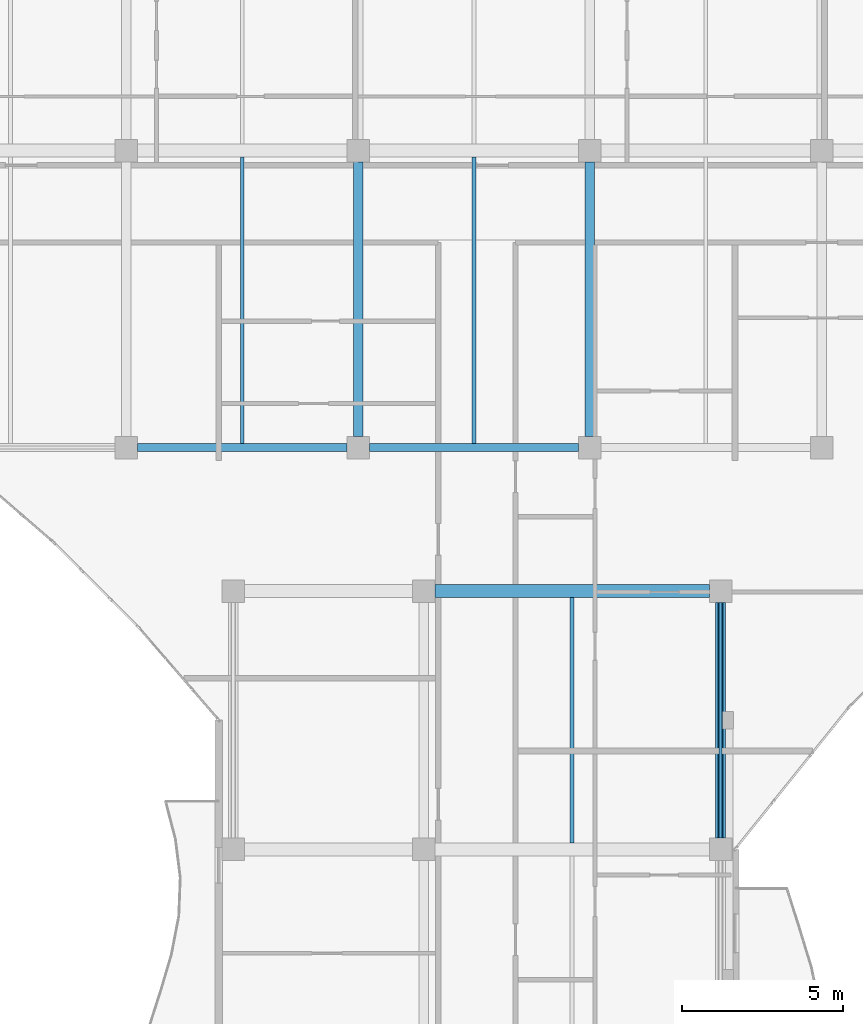
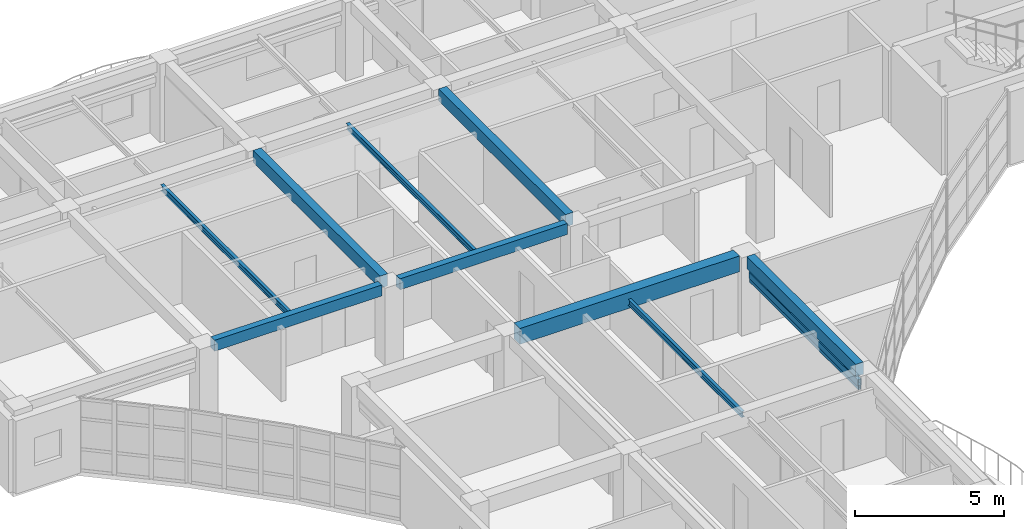
# One storey, part 55 of 128: 9 beams, 2 members.
"""IFC4 building model written with IfcOpenShell, lengths in metres."""

from ifc_helpers import new_model, si_unit, direction, frame, origin, origin_2d, place, context, subcontext, project, spatial, rectangle, hollow_rectangle, i_section, extrude, material, material_profile, profile_set, type_object, element, save


model = new_model("IFC4")

# Units and contexts
model_context = context("Model", 3, precision=1e-05, world=origin(), true_north=direction((0.0, 1.0)))
body_context = subcontext(model_context, "Body", "Model", "MODEL_VIEW")
ifc_project = project(units=[si_unit("LENGTHUNIT", "METRE"), si_unit("AREAUNIT", "SQUARE_METRE"), si_unit("VOLUMEUNIT", "CUBIC_METRE"), si_unit("PLANEANGLEUNIT", "RADIAN"), si_unit("MASSUNIT", "GRAM", prefix="KILO")], contexts=[model_context])

# Site, building, storey
site_placement = place(None, origin())
site = spatial("IfcSite", under=ifc_project, at=site_placement, CompositionType="ELEMENT")
building_placement = place(site_placement, origin())
building = spatial("IfcBuilding", under=site, at=building_placement, Name="Keldmere Railside Commons", CompositionType="ELEMENT")
storey_placement = place(building_placement, frame((0.0, 0.0, 4.159912109375)))
storey = spatial("IfcBuildingStorey", under=building, at=storey_placement, Name="L01", CompositionType="ELEMENT", Elevation=4.159912109375)

# Member
ifc_material_1 = material(Name="Steel F-36 (S355)", Category="steel")
ifc_material_profile_1 = material_profile(ifc_material_1, hollow_rectangle(XDim=0.14990234375, YDim=0.25, WallThickness=0.010009765625, at=origin_2d()), Name="RHS-250x150x10")
ifc_profile_set_1 = profile_set([ifc_material_profile_1], Name="Steel F-36 (S355)")
member_type_1 = type_object("IfcMemberType", Name="Balcony Continuous Planted Trough RHS250x150", PredefinedType="CHORD", material=ifc_profile_set_1)
member_1_placement = place(storey_placement, frame((119.550048828125, 88.35009765625, 2.4150390625), z_axis=(0.0, 1.0, 0.0), x_axis=(-1.0, 0.0, 0.0)))
element("IfcMember", 1, at=member_1_placement, inside=storey, type_object=member_type_1, Name="PLT-1 MEM-BPLT-0179", PredefinedType="CHORD", context=body_context, shape_type="SweptSolid", body=[
    extrude(hollow_rectangle(XDim=0.14990234375, YDim=0.25, WallThickness=0.010009765625, at=origin_2d()), origin(), (0.0, 0.0, 1.0), 7.2998046875),
])

# Beams
ifc_material_profile_2 = material_profile(ifc_material_1, i_section(OverallWidth=0.1201171875, OverallDepth=0.239990234375, WebThickness=0.006103515625, FlangeThickness=0.009765625, at=origin_2d()), Name="IPE-240")
ifc_profile_set_2 = profile_set([ifc_material_profile_2], Name="Steel F-36 (S355)")
beam_type_1 = type_object("IfcBeamType", Name="Nursery & Mezzanine Steel Joist IPE240", PredefinedType="JOIST", material=ifc_profile_set_2)
beam_1_placement = place(storey_placement, frame((114.949951171875, 88.199951171875, 2.81005859375), z_axis=(0.0, 1.0, 0.0), x_axis=(-1.0, 0.0, 0.0)))
element("IfcBeam", 2, at=beam_1_placement, inside=storey, type_object=beam_type_1, Name="JST-2 BM-L01-1015", PredefinedType="JOIST", context=body_context, shape_type="SweptSolid", body=[
    extrude(i_section(OverallWidth=0.1201171875, OverallDepth=0.239990234375, WebThickness=0.006103515625, FlangeThickness=0.009765625, at=origin_2d()), origin(), (0.0, 0.0, 1.0), 7.60009765625),
])
for number, where, z_axis, x_axis, name in (
    (3, (104.72509765625, 100.574951171875, 2.81005859375), (0.0, 1.0, 0.0), (-1.0, 0.0, 0.0), "JST-2 BM-L01-1024"),
    (4, (111.908935546875, 100.574951171875, 2.81005859375), (0.0, 1.0, 0.0), (-1.0, 0.0, 0.0), "JST-2 BM-L01-1025"),
):
    element("IfcBeam", number, at=place(storey_placement, frame(where, z_axis=z_axis, x_axis=x_axis)), inside=storey, type_object=beam_type_1, Name=name, PredefinedType="JOIST", context=body_context, shape_type="SweptSolid", body=[
        extrude(i_section(OverallWidth=0.1201171875, OverallDepth=0.239990234375, WebThickness=0.006103515625, FlangeThickness=0.009765625, at=origin_2d()), origin(), (0.0, 0.0, 1.0), 8.875),
    ])
ifc_material_2 = material(Name="Architectural Precast Concrete H-35 (C35/45)", Category="concrete")
ifc_material_profile_3 = material_profile(ifc_material_2, rectangle(XDim=0.25, YDim=0.449951171875, at=origin_2d()), Name="RC-250x450")
ifc_profile_set_3 = profile_set([ifc_material_profile_3], Name="Architectural Precast Concrete H-35 (C35/45)")
beam_type_2 = type_object("IfcBeamType", Name="Perimeter Precast Spandrel Beam 250x450", PredefinedType="SPANDREL", material=ifc_profile_set_3)
beam_2_placement = place(storey_placement, frame((101.48291015625, 100.449951171875, 2.97509765625), z_axis=(1.0, 0.0, 0.0), x_axis=(0.0, 1.0, 0.0)))
element("IfcBeam", 5, at=beam_2_placement, inside=storey, type_object=beam_type_2, Name="SPB-1 BM-L01-0824", PredefinedType="SPANDREL", context=body_context, shape_type="SweptSolid", body=[
    extrude(rectangle(XDim=0.25, YDim=0.449951171875, at=origin_2d()), origin(), (0.0, 0.0, 1.0), 6.484130859375),
])
beam_3_placement = place(storey_placement, frame((108.6669921875, 100.449951171875, 2.97509765625), z_axis=(1.0, 0.0, 0.0), x_axis=(0.0, 1.0, 0.0)))
element("IfcBeam", 6, at=beam_3_placement, inside=storey, type_object=beam_type_2, Name="SPB-1 BM-L01-0825", PredefinedType="SPANDREL", context=body_context, shape_type="SweptSolid", body=[
    extrude(rectangle(XDim=0.25, YDim=0.449951171875, at=origin_2d()), origin(), (0.0, 0.0, 1.0), 6.48291015625),
])
ifc_material_3 = material(Name="Concrete H-30 (C30/37)", Category="concrete")
ifc_material_profile_4 = material_profile(ifc_material_3, rectangle(XDim=0.39990234375, YDim=0.64990234375, at=origin_2d()), Name="RC-400x650")
ifc_profile_set_4 = profile_set([ifc_material_profile_4], Name="Concrete H-30 (C30/37)")
beam_type_3 = type_object("IfcBeamType", Name="Residential Spine RC Girder 400x650", PredefinedType="BEAM", material=ifc_profile_set_4)
beam_4_placement = place(storey_placement, frame((110.699951171875, 96.0, 2.875), z_axis=(1.0, 0.0, 0.0), x_axis=(0.0, 1.0, 0.0)))
element("IfcBeam", 7, at=beam_4_placement, inside=storey, type_object=beam_type_3, Name="BG-3 BM-L01-0816", PredefinedType="BEAM", context=body_context, shape_type="SweptSolid", body=[
    extrude(rectangle(XDim=0.39990234375, YDim=0.64990234375, at=origin_2d()), origin(), (0.0, 0.0, 1.0), 8.5),
])
ifc_material_profile_5 = material_profile(ifc_material_3, rectangle(XDim=0.300048828125, YDim=0.5, at=origin_2d()), Name="RC-300x500")
ifc_profile_set_5 = profile_set([ifc_material_profile_5], Name="Concrete H-30 (C30/37)")
beam_type_4 = type_object("IfcBeamType", Name="Secondary Frame RC Beam 300x500", PredefinedType="BEAM", material=ifc_profile_set_5)
for number, where, z_axis, x_axis, name in (
    (8, (108.31689453125, 100.800048828125, 2.9501953125), (0.0, 1.0, 0.0), (-1.0, 0.0, 0.0), "BG-5 BM-L01-0917"),
    (9, (115.5, 100.800048828125, 2.9501953125), (0.0, 1.0, 0.0), (-1.0, 0.0, 0.0), "BG-5 BM-L01-0924"),
):
    element("IfcBeam", number, at=place(storey_placement, frame(where, z_axis=z_axis, x_axis=x_axis)), inside=storey, type_object=beam_type_4, Name=name, PredefinedType="BEAM", context=body_context, shape_type="SweptSolid", body=[
        extrude(rectangle(XDim=0.300048828125, YDim=0.5, at=origin_2d()), origin(), (0.0, 0.0, 1.0), 8.5),
    ])
beam_5_placement = place(storey_placement, frame((119.550048828125, 88.35009765625, 2.9501953125), z_axis=(0.0, 1.0, 0.0), x_axis=(-1.0, 0.0, 0.0)))
element("IfcBeam", 10, at=beam_5_placement, inside=storey, type_object=beam_type_4, Name="BG-5 BM-L01-0930", PredefinedType="BEAM", context=body_context, shape_type="SweptSolid", body=[
    extrude(rectangle(XDim=0.300048828125, YDim=0.5, at=origin_2d()), origin(), (0.0, 0.0, 1.0), 7.2998046875),
])

# Member
ifc_material_profile_6 = material_profile(ifc_material_1, hollow_rectangle(XDim=0.10009765625, YDim=0.159912109375, WallThickness=0.008056640625, at=origin_2d()), Name="RHS-160x100x8")
ifc_profile_set_6 = profile_set([ifc_material_profile_6], Name="Steel F-36 (S355)")
member_type_2 = type_object("IfcMemberType", Name="Solar Brise-Soleil Louvre Fin RHS160x100", PredefinedType="STRUT", material=ifc_profile_set_6)
member_2_placement = place(storey_placement, frame((119.550048828125, 88.35009765625, 2.2001953125), z_axis=(0.0, 1.0, 0.0), x_axis=(-1.0, 0.0, 0.0)))
element("IfcMember", 11, at=member_2_placement, inside=storey, type_object=member_type_2, Name="BSF-1 MEM-BSF-0180", PredefinedType="STRUT", context=body_context, shape_type="SweptSolid", body=[
    extrude(hollow_rectangle(XDim=0.10009765625, YDim=0.159912109375, WallThickness=0.008056640625, at=origin_2d()), origin(), (0.0, 0.0, 1.0), 7.2998046875),
])

save(model, "model.ifc")
